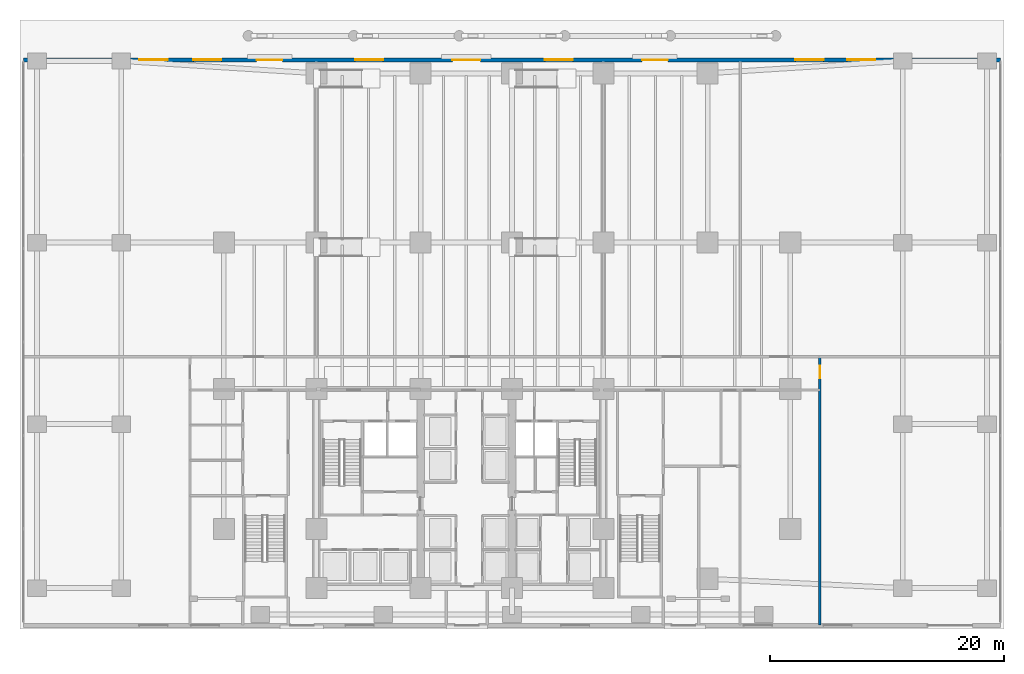
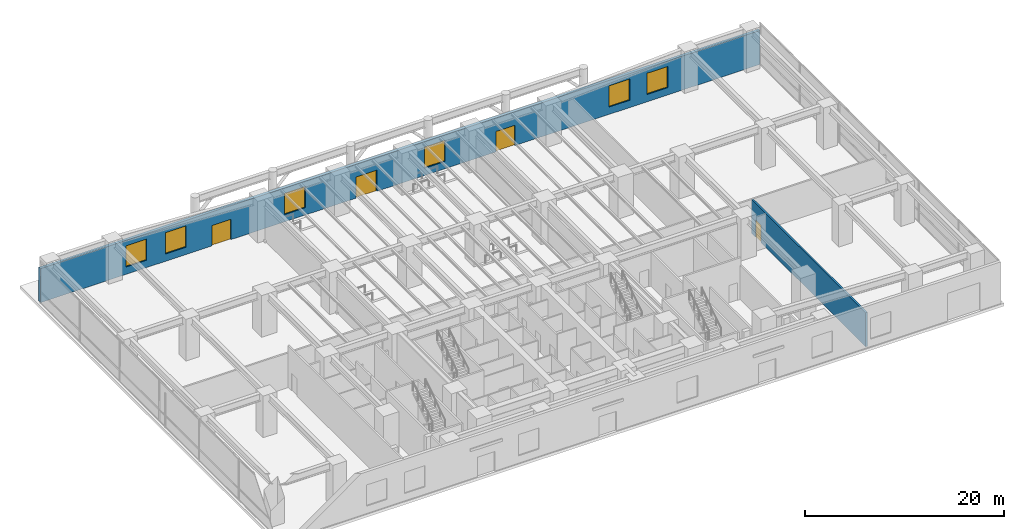
# One storey, part 14 of 19: 6 windows, 4 doors, 2 walls, 10 openings.
"""IFC4 building model written with IfcOpenShell, lengths in metres."""

from ifc_helpers import new_model, si_unit, direction, frame, frame_2d, origin, place, context, subcontext, project, spatial, rectangle, extrude, material, layer, layer_set, type_object, element, fill, save


model = new_model("IFC4")

# Units and contexts
model_context = context("Model", 3, precision=1e-05, world=origin(), true_north=direction((0.0, 1.0)))
body_context = subcontext(model_context, "Body", "Model", "MODEL_VIEW")
ifc_project = project(units=[si_unit("LENGTHUNIT", "METRE"), si_unit("AREAUNIT", "SQUARE_METRE"), si_unit("VOLUMEUNIT", "CUBIC_METRE"), si_unit("PLANEANGLEUNIT", "RADIAN"), si_unit("MASSUNIT", "GRAM", prefix="KILO")], contexts=[model_context])

# Site, building, storey
site_placement = place(None, origin())
site = spatial("IfcSite", under=ifc_project, at=site_placement, CompositionType="ELEMENT")
building_placement = place(site_placement, origin())
building = spatial("IfcBuilding", under=site, at=building_placement, Name="Qalmaran Belvedere Hotel", CompositionType="ELEMENT")
storey_placement = place(building_placement, origin())
storey = spatial("IfcBuildingStorey", under=building, at=storey_placement, Name="L00", CompositionType="ELEMENT", Elevation=0.0)

# Wall, openings, doors, windows
ifc_material_1 = material(Name="Riyadh Limestone Cladding", Category="masonry")
ifc_layer_1 = layer(ifc_material_1, 0.340087890625, Name="Riyadh Limestone Cladding")
ifc_layer_set_1 = layer_set([ifc_layer_1], Name="Riyadh Limestone Cladding")
wall_type_1 = type_object("IfcWallType", Name="WL-EXT-LIME-340", PredefinedType="SOLIDWALL", material=ifc_layer_set_1)
wall_1_placement = place(storey_placement, frame((-4.699951171875, 48.60009765625, 0.0), z_axis=(0.0, 0.0, 1.0), x_axis=(1.0, 0.0, 0.0)))
wall_1 = element("IfcWall", 1, at=wall_1_placement, inside=storey, type_object=wall_type_1, Name="L00 North Limestone Facade", PredefinedType="SOLIDWALL", context=body_context, shape_type="SweptSolid", body=[
    extrude(rectangle(XDim=83.39990234375, YDim=0.340087890625, at=frame_2d((41.699951171875, 0.0))), origin(), (0.0, 0.0, 1.0), 4.1640625),
])
opening_1_placement = place(wall_1_placement, frame((19.89990234375, 0.0, 0.0)))
opening_1 = element("IfcOpeningElement", 2, at=opening_1_placement, cuts=wall_1, Name="Opening EN-220", PredefinedType="OPENING", context=body_context, shape_type="SweptSolid", body=[
    extrude(rectangle(XDim=2.199951171875, YDim=2.5, at=frame_2d((1.10009765625, 1.25))), frame((0.0, 0.18017578125, 0.0), z_axis=(0.0, -1.0, 0.0), x_axis=(1.0, 0.0, 0.0)), (0.0, 0.0, 1.0), 0.360107421875),
])
opening_2_placement = place(wall_1_placement, frame((36.60009765625, 0.0, 0.0)))
opening_2 = element("IfcOpeningElement", 3, at=opening_2_placement, cuts=wall_1, Name="Opening EN-240", PredefinedType="OPENING", context=body_context, shape_type="SweptSolid", body=[
    extrude(rectangle(XDim=2.39990234375, YDim=2.60009765625, at=frame_2d((1.199951171875, 1.300048828125))), frame((0.0, 0.18017578125, 0.0), z_axis=(0.0, -1.0, 0.0), x_axis=(1.0, 0.0, 0.0)), (0.0, 0.0, 1.0), 0.360107421875),
])
opening_3_placement = place(wall_1_placement, frame((52.800048828125, 0.0, 0.0)))
opening_3 = element("IfcOpeningElement", 4, at=opening_3_placement, cuts=wall_1, Name="Opening EN-220", PredefinedType="OPENING", context=body_context, shape_type="SweptSolid", body=[
    extrude(rectangle(XDim=2.199951171875, YDim=2.5, at=frame_2d((1.10009765625, 1.25))), frame((0.0, 0.18017578125, 0.0), z_axis=(0.0, -1.0, 0.0), x_axis=(1.0, 0.0, 0.0)), (0.0, 0.0, 1.0), 0.360107421875),
])
opening_4_placement = place(wall_1_placement, frame((9.89990234375, 0.0, 0.89990234375)))
opening_4 = element("IfcOpeningElement", 5, at=opening_4_placement, cuts=wall_1, Name="Opening W-P24", PredefinedType="OPENING", context=body_context, shape_type="SweptSolid", body=[
    extrude(rectangle(XDim=2.39990234375, YDim=2.60009765625, at=frame_2d((1.199951171875, 1.300048828125))), frame((0.0, 0.18017578125, 0.0), z_axis=(0.0, -1.0, 0.0), x_axis=(1.0, 0.0, 0.0)), (0.0, 0.0, 1.0), 0.360107421875),
])
opening_5_placement = place(wall_1_placement, frame((14.5, 0.0, 0.89990234375)))
opening_5 = element("IfcOpeningElement", 6, at=opening_5_placement, cuts=wall_1, Name="Opening W-P24", PredefinedType="OPENING", context=body_context, shape_type="SweptSolid", body=[
    extrude(rectangle(XDim=2.39990234375, YDim=2.60009765625, at=frame_2d((1.199951171875, 1.300048828125))), frame((0.0, 0.18017578125, 0.0), z_axis=(0.0, -1.0, 0.0), x_axis=(1.0, 0.0, 0.0)), (0.0, 0.0, 1.0), 0.360107421875),
])
opening_6_placement = place(wall_1_placement, frame((28.300048828125, 0.0, 0.89990234375)))
opening_6 = element("IfcOpeningElement", 7, at=opening_6_placement, cuts=wall_1, Name="Opening W-P24", PredefinedType="OPENING", context=body_context, shape_type="SweptSolid", body=[
    extrude(rectangle(XDim=2.39990234375, YDim=2.60009765625, at=frame_2d((1.199951171875, 1.300048828125))), frame((0.0, 0.18017578125, 0.0), z_axis=(0.0, -1.0, 0.0), x_axis=(1.0, 0.0, 0.0)), (0.0, 0.0, 1.0), 0.360107421875),
])
opening_7_placement = place(wall_1_placement, frame((44.5, 0.0, 0.89990234375)))
opening_7 = element("IfcOpeningElement", 8, at=opening_7_placement, cuts=wall_1, Name="Opening W-P24", PredefinedType="OPENING", context=body_context, shape_type="SweptSolid", body=[
    extrude(rectangle(XDim=2.39990234375, YDim=2.60009765625, at=frame_2d((1.199951171875, 1.300048828125))), frame((0.0, 0.18017578125, 0.0), z_axis=(0.0, -1.0, 0.0), x_axis=(1.0, 0.0, 0.0)), (0.0, 0.0, 1.0), 0.360107421875),
])
opening_8_placement = place(wall_1_placement, frame((65.89990234375, 0.0, 0.89990234375)))
opening_8 = element("IfcOpeningElement", 9, at=opening_8_placement, cuts=wall_1, Name="Opening W-P24", PredefinedType="OPENING", context=body_context, shape_type="SweptSolid", body=[
    extrude(rectangle(XDim=2.39990234375, YDim=2.60009765625, at=frame_2d((1.199951171875, 1.300048828125))), frame((0.0, 0.18017578125, 0.0), z_axis=(0.0, -1.0, 0.0), x_axis=(1.0, 0.0, 0.0)), (0.0, 0.0, 1.0), 0.360107421875),
])
opening_9_placement = place(wall_1_placement, frame((70.300048828125, 0.0, 0.89990234375)))
opening_9 = element("IfcOpeningElement", 10, at=opening_9_placement, cuts=wall_1, Name="Opening W-P24", PredefinedType="OPENING", context=body_context, shape_type="SweptSolid", body=[
    extrude(rectangle(XDim=2.39990234375, YDim=2.60009765625, at=frame_2d((1.199951171875, 1.300048828125))), frame((0.0, 0.18017578125, 0.0), z_axis=(0.0, -1.0, 0.0), x_axis=(1.0, 0.0, 0.0)), (0.0, 0.0, 1.0), 0.360107421875),
])
ifc_material_2 = material(Name="Anodised Bronze Aluminium", Category="aluminium")
door_type_1 = type_object("IfcDoorType", Name="DR-ENTR-2200X2500", OperationType="NOTDEFINED", PredefinedType="DOOR", material=ifc_material_2)
door_1_placement = place(opening_1_placement, origin())
door_1 = element("IfcDoor", 11, at=door_1_placement, inside=storey, type_object=door_type_1, Name="L00 North Entrance 1", OperationType="DOUBLE_DOOR_SINGLE_SWING", OverallHeight=2.5, OverallWidth=2.199951171875, PredefinedType="DOOR", context=body_context, shape_type="SweptSolid", body=[
    extrude(rectangle(XDim=2.199951171875, YDim=2.5, at=frame_2d((1.10009765625, 1.25))), frame((0.0, 0.02490234375, 0.0), z_axis=(0.0, -1.0, 0.0), x_axis=(1.0, 0.0, 0.0)), (0.0, 0.0, 1.0), 0.050048828125),
])
fill(opening_1, door_1)
door_2_placement = place(opening_3_placement, origin())
door_2 = element("IfcDoor", 12, at=door_2_placement, inside=storey, type_object=door_type_1, Name="L00 North Entrance 3", OperationType="DOUBLE_DOOR_SINGLE_SWING", OverallHeight=2.5, OverallWidth=2.199951171875, PredefinedType="DOOR", context=body_context, shape_type="SweptSolid", body=[
    extrude(rectangle(XDim=2.199951171875, YDim=2.5, at=frame_2d((1.10009765625, 1.25))), frame((0.0, 0.02490234375, 0.0), z_axis=(0.0, -1.0, 0.0), x_axis=(1.0, 0.0, 0.0)), (0.0, 0.0, 1.0), 0.050048828125),
])
fill(opening_3, door_2)
door_type_2 = type_object("IfcDoorType", Name="DR-ENTR-2400X2600", OperationType="NOTDEFINED", PredefinedType="DOOR", material=ifc_material_2)
door_3_placement = place(opening_2_placement, origin())
door_3 = element("IfcDoor", 13, at=door_3_placement, inside=storey, type_object=door_type_2, Name="L00 North Entrance 2", OperationType="DOUBLE_DOOR_SINGLE_SWING", OverallHeight=2.60009765625, OverallWidth=2.39990234375, PredefinedType="DOOR", context=body_context, shape_type="SweptSolid", body=[
    extrude(rectangle(XDim=2.39990234375, YDim=2.60009765625, at=frame_2d((1.199951171875, 1.300048828125))), frame((0.0, 0.02490234375, 0.0), z_axis=(0.0, -1.0, 0.0), x_axis=(1.0, 0.0, 0.0)), (0.0, 0.0, 1.0), 0.050048828125),
])
fill(opening_2, door_3)
ifc_material_3 = material(Name="Solar-Control Double Glazing", Category="glass")
window_type = type_object("IfcWindowType", Name="WN-POD-2400X2600", PartitioningType="SINGLE_PANEL", PredefinedType="WINDOW", material=ifc_material_3)
window_1_placement = place(opening_4_placement, origin())
window_1 = element("IfcWindow", 14, at=window_1_placement, inside=storey, type_object=window_type, Name="L00 North Window 1", OverallHeight=2.60009765625, OverallWidth=2.39990234375, PartitioningType="SINGLE_PANEL", PredefinedType="WINDOW", context=body_context, shape_type="SweptSolid", body=[
    extrude(rectangle(XDim=2.39990234375, YDim=2.60009765625, at=frame_2d((1.199951171875, 1.300048828125))), frame((0.0, 0.030029296875, 0.0), z_axis=(0.0, -1.0, 0.0), x_axis=(1.0, 0.0, 0.0)), (0.0, 0.0, 1.0), 0.06005859375),
])
fill(opening_4, window_1)
window_2_placement = place(opening_5_placement, origin())
window_2 = element("IfcWindow", 15, at=window_2_placement, inside=storey, type_object=window_type, Name="L00 North Window 2", OverallHeight=2.60009765625, OverallWidth=2.39990234375, PartitioningType="SINGLE_PANEL", PredefinedType="WINDOW", context=body_context, shape_type="SweptSolid", body=[
    extrude(rectangle(XDim=2.39990234375, YDim=2.60009765625, at=frame_2d((1.199951171875, 1.300048828125))), frame((0.0, 0.030029296875, 0.0), z_axis=(0.0, -1.0, 0.0), x_axis=(1.0, 0.0, 0.0)), (0.0, 0.0, 1.0), 0.06005859375),
])
fill(opening_5, window_2)
window_3_placement = place(opening_6_placement, origin())
window_3 = element("IfcWindow", 16, at=window_3_placement, inside=storey, type_object=window_type, Name="L00 North Window 3", OverallHeight=2.60009765625, OverallWidth=2.39990234375, PartitioningType="SINGLE_PANEL", PredefinedType="WINDOW", context=body_context, shape_type="SweptSolid", body=[
    extrude(rectangle(XDim=2.39990234375, YDim=2.60009765625, at=frame_2d((1.199951171875, 1.300048828125))), frame((0.0, 0.030029296875, 0.0), z_axis=(0.0, -1.0, 0.0), x_axis=(1.0, 0.0, 0.0)), (0.0, 0.0, 1.0), 0.06005859375),
])
fill(opening_6, window_3)
window_4_placement = place(opening_7_placement, origin())
window_4 = element("IfcWindow", 17, at=window_4_placement, inside=storey, type_object=window_type, Name="L00 North Window 4", OverallHeight=2.60009765625, OverallWidth=2.39990234375, PartitioningType="SINGLE_PANEL", PredefinedType="WINDOW", context=body_context, shape_type="SweptSolid", body=[
    extrude(rectangle(XDim=2.39990234375, YDim=2.60009765625, at=frame_2d((1.199951171875, 1.300048828125))), frame((0.0, 0.030029296875, 0.0), z_axis=(0.0, -1.0, 0.0), x_axis=(1.0, 0.0, 0.0)), (0.0, 0.0, 1.0), 0.06005859375),
])
fill(opening_7, window_4)
window_5_placement = place(opening_8_placement, origin())
window_5 = element("IfcWindow", 18, at=window_5_placement, inside=storey, type_object=window_type, Name="L00 North Window 5", OverallHeight=2.60009765625, OverallWidth=2.39990234375, PartitioningType="SINGLE_PANEL", PredefinedType="WINDOW", context=body_context, shape_type="SweptSolid", body=[
    extrude(rectangle(XDim=2.39990234375, YDim=2.60009765625, at=frame_2d((1.199951171875, 1.300048828125))), frame((0.0, 0.030029296875, 0.0), z_axis=(0.0, -1.0, 0.0), x_axis=(1.0, 0.0, 0.0)), (0.0, 0.0, 1.0), 0.06005859375),
])
fill(opening_8, window_5)
window_6_placement = place(opening_9_placement, origin())
window_6 = element("IfcWindow", 19, at=window_6_placement, inside=storey, type_object=window_type, Name="L00 North Window 6", OverallHeight=2.60009765625, OverallWidth=2.39990234375, PartitioningType="SINGLE_PANEL", PredefinedType="WINDOW", context=body_context, shape_type="SweptSolid", body=[
    extrude(rectangle(XDim=2.39990234375, YDim=2.60009765625, at=frame_2d((1.199951171875, 1.300048828125))), frame((0.0, 0.030029296875, 0.0), z_axis=(0.0, -1.0, 0.0), x_axis=(1.0, 0.0, 0.0)), (0.0, 0.0, 1.0), 0.06005859375),
])
fill(opening_9, window_6)

# Wall, opening, door
ifc_material_4 = material(Name="Concrete C30/37 Blockwork", Category="masonry")
ifc_layer_2 = layer(ifc_material_4, 0.199951171875, Name="Concrete C30/37 Blockwork")
ifc_layer_set_2 = layer_set([ifc_layer_2], Name="Concrete C30/37 Blockwork")
wall_type_2 = type_object("IfcWallType", Name="WL-INT-200-EI120", PredefinedType="PARTITIONING", material=ifc_layer_set_2)
wall_2_placement = place(storey_placement, frame((63.280029296875, 0.35009765625, 0.0), z_axis=(0.0, 0.0, 1.0), x_axis=(0.0, 1.0, 0.0)))
wall_2 = element("IfcWall", 20, at=wall_2_placement, inside=storey, type_object=wall_type_2, Name="L00 Partition WL-L00-FCCE", PredefinedType="PARTITIONING", context=body_context, shape_type="SweptSolid", body=[
    extrude(rectangle(XDim=22.89990234375, YDim=0.199951171875, at=frame_2d((11.449951171875, 0.0))), origin(), (0.0, 0.0, 1.0), 4.1640625),
])
opening_10_placement = place(wall_2_placement, frame((22.150146484375, 0.0, 0.0), z_axis=(0.0, 0.0, 1.0), x_axis=(-1.0, 0.0, 0.0)))
opening_10 = element("IfcOpeningElement", 21, at=opening_10_placement, cuts=wall_2, Name="Opening FD90", PredefinedType="OPENING", context=body_context, shape_type="SweptSolid", body=[
    extrude(rectangle(XDim=1.10009765625, YDim=2.14990234375, at=frame_2d((0.550048828125, 1.074951171875))), frame((0.0, 0.10986328125, 0.0), z_axis=(0.0, -1.0, 0.0), x_axis=(1.0, 0.0, 0.0)), (0.0, 0.0, 1.0), 0.219970703125),
])
ifc_material_5 = material(Name="Steel S355JR", Category="steel")
door_type_3 = type_object("IfcDoorType", Name="DR-FD90-1100X2150", OperationType="NOTDEFINED", PredefinedType="DOOR", material=ifc_material_5)
door_4_placement = place(opening_10_placement, origin())
door_4 = element("IfcDoor", 22, at=door_4_placement, inside=storey, type_object=door_type_3, Name="L00 East Wing Door", OperationType="SINGLE_SWING_LEFT", OverallHeight=2.14990234375, OverallWidth=1.10009765625, PredefinedType="DOOR", context=body_context, shape_type="SweptSolid", body=[
    extrude(rectangle(XDim=1.10009765625, YDim=2.14990234375, at=frame_2d((0.550048828125, 1.074951171875))), frame((0.0, 0.02490234375, 0.0), z_axis=(0.0, -1.0, 0.0), x_axis=(1.0, 0.0, 0.0)), (0.0, 0.0, 1.0), 0.050048828125),
])
fill(opening_10, door_4)

save(model, "model.ifc")
